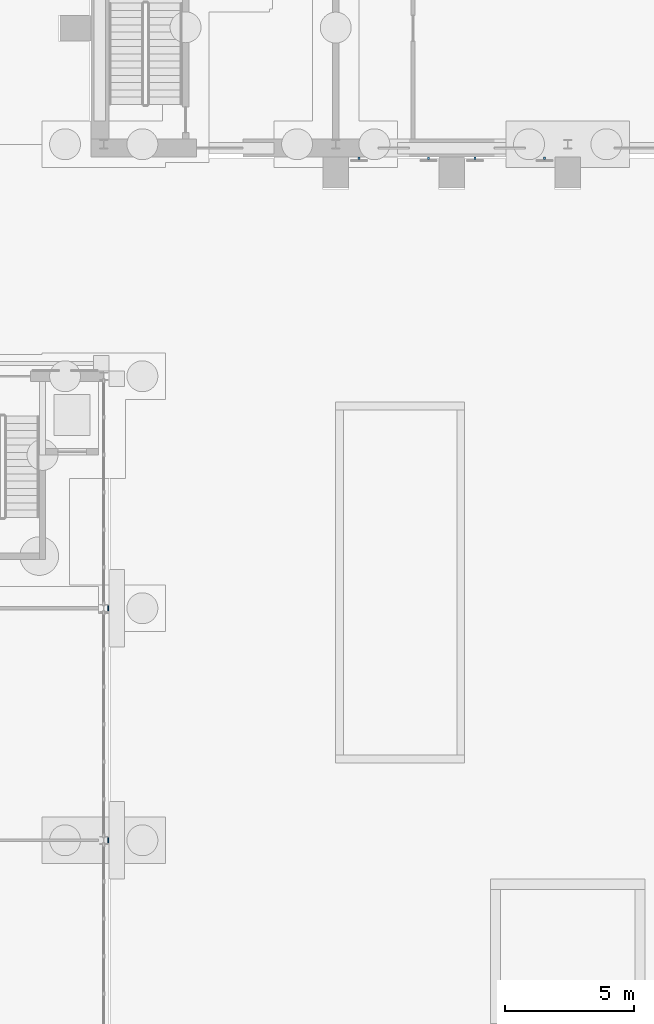
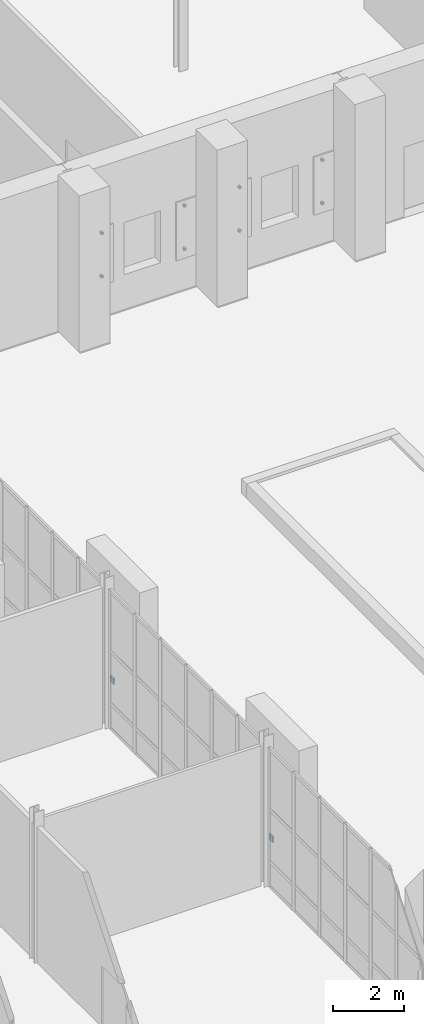
# One storey, part 120 of 168: 10 discrete accessories.
"""IFC4 building model written with IfcOpenShell, lengths in metres."""

from ifc_helpers import new_model, si_unit, direction, frame, origin, origin_2d, place, context, subcontext, project, spatial, rectangle, extrude, material, type_object, element, save


model = new_model("IFC4")

# Units and contexts
model_context = context("Model", 3, precision=1e-05, world=origin(), true_north=direction((0.0, 1.0)))
body_context = subcontext(model_context, "Body", "Model", "MODEL_VIEW")
ifc_project = project(units=[si_unit("LENGTHUNIT", "METRE"), si_unit("AREAUNIT", "SQUARE_METRE"), si_unit("VOLUMEUNIT", "CUBIC_METRE"), si_unit("PLANEANGLEUNIT", "RADIAN"), si_unit("MASSUNIT", "GRAM", prefix="KILO")], contexts=[model_context])

# Site, building, storey
site_placement = place(None, origin())
site = spatial("IfcSite", under=ifc_project, at=site_placement, CompositionType="ELEMENT")
building_placement = place(site_placement, origin())
building = spatial("IfcBuilding", under=site, at=building_placement, Name="Golden Quay Civic Hall", CompositionType="ELEMENT")
storey_placement = place(building_placement, origin())
storey = spatial("IfcBuildingStorey", under=building, at=storey_placement, Name="L00", CompositionType="ELEMENT", Elevation=0.0)

# Discrete accessories
ifc_material_1 = material(Name="Steel S355", Category="steel")
discrete_accessory_type_1 = type_object("IfcDiscreteAccessoryType", Name="Pier fixing bracket 200 x 200", PredefinedType="BRACKET", material=ifc_material_1)
for number, where, z_axis, x_axis, name in (
    (1, (117.175048828125, 36.0, 1.39990234375), (0.0, 0.0, 1.0), (0.0, 1.0, 0.0), "Pier fixing bracket 200 x 200 L00 19"),
    (2, (117.175048828125, 45.0, 1.39990234375), (0.0, 0.0, 1.0), (0.0, 1.0, 0.0), "Pier fixing bracket 200 x 200 L00 20"),
):
    element("IfcDiscreteAccessory", number, at=place(storey_placement, frame(where, z_axis=z_axis, x_axis=x_axis)), inside=storey, type_object=discrete_accessory_type_1, Name=name, PredefinedType="BRACKET", context=body_context, shape_type="SweptSolid", body=[
        extrude(rectangle(XDim=0.199951171875, YDim=0.050048828125, at=origin_2d()), origin(), (0.0, 0.0, 1.0), 0.199951171875),
    ])
ifc_material_2 = material(Name="Steel S355", Category="steel")
discrete_accessory_type_2 = type_object("IfcDiscreteAccessoryType", Name="Steel shutter bracket", PredefinedType="BRACKET", material=ifc_material_2)
for number, where, z_axis, x_axis, name in (
    (3, (126.89990234375, 62.449951171875, 1.409912109375), (0.0, 0.0, 1.0), (1.0, 0.0, 0.0), "Shutter bracket L00-S112a-1"),
    (4, (126.89990234375, 62.449951171875, 2.909912109375), (0.0, 0.0, 1.0), (1.0, 0.0, 0.0), "Shutter bracket L00-S112a-2"),
    (5, (129.60009765625, 62.449951171875, 1.409912109375), (0.0, 0.0, 1.0), (1.0, 0.0, 0.0), "Shutter bracket L00-S112b-1"),
    (6, (129.60009765625, 62.449951171875, 2.909912109375), (0.0, 0.0, 1.0), (1.0, 0.0, 0.0), "Shutter bracket L00-S112b-2"),
    (7, (131.39990234375, 62.449951171875, 1.409912109375), (0.0, 0.0, 1.0), (1.0, 0.0, 0.0), "Shutter bracket L00-S157a-1"),
    (8, (131.39990234375, 62.449951171875, 2.909912109375), (0.0, 0.0, 1.0), (1.0, 0.0, 0.0), "Shutter bracket L00-S157a-2"),
    (9, (134.10009765625, 62.449951171875, 1.409912109375), (0.0, 0.0, 1.0), (1.0, 0.0, 0.0), "Shutter bracket L00-S157b-1"),
    (10, (134.10009765625, 62.449951171875, 2.909912109375), (0.0, 0.0, 1.0), (1.0, 0.0, 0.0), "Shutter bracket L00-S157b-2"),
):
    element("IfcDiscreteAccessory", number, at=place(storey_placement, frame(where, z_axis=z_axis, x_axis=x_axis)), inside=storey, type_object=discrete_accessory_type_2, Name=name, PredefinedType="BRACKET", context=body_context, shape_type="SweptSolid", body=[
        extrude(rectangle(XDim=0.080078125, YDim=0.10009765625, at=origin_2d()), origin(), (0.0, 0.0, 1.0), 0.080078125),
    ])

save(model, "model.ifc")
